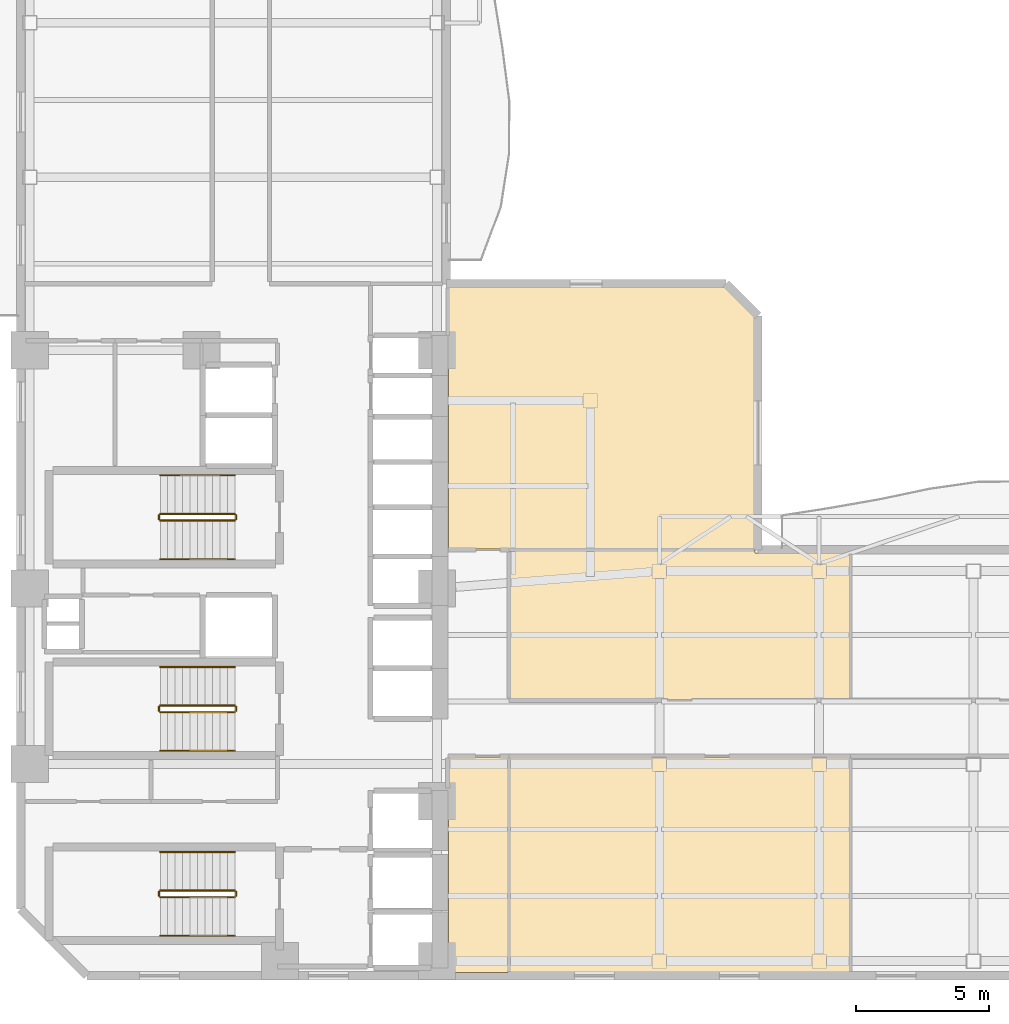
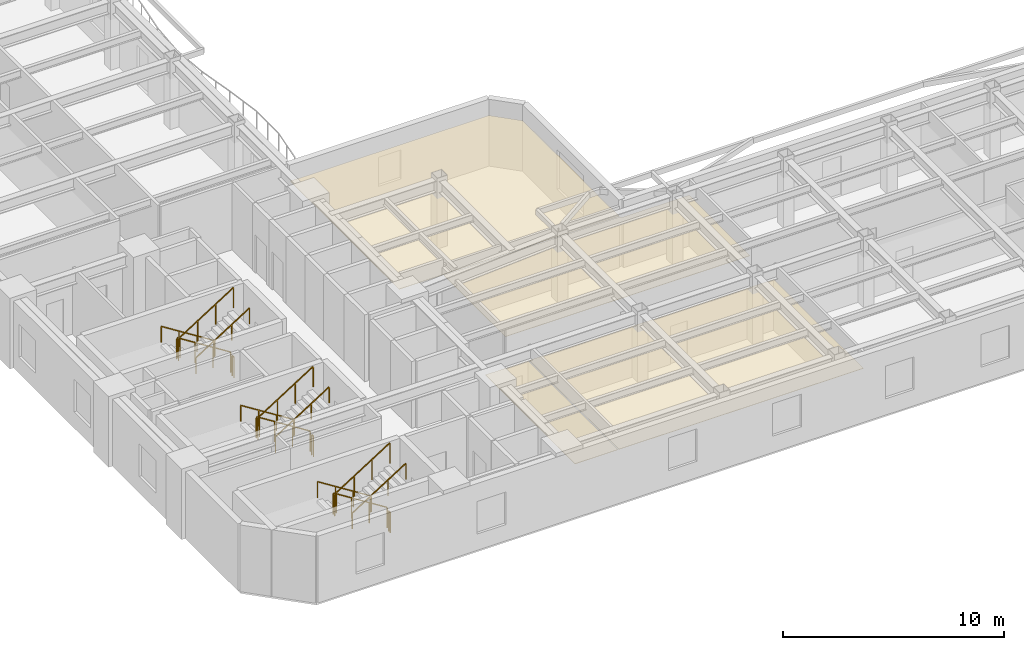
# One storey, part 8 of 10: 18 railings, 4 coverings.
"""IFC4 building model written with IfcOpenShell, lengths in metres."""

from ifc_helpers import new_model, si_unit, direction, frame, origin, origin_2d, place, context, subcontext, project, spatial, polyline, rectangle, outline, extrude, material, layer, layer_set, type_object, element, save


model = new_model("IFC4")

# Units and contexts
model_context = context("Model", 3, precision=1e-05, world=origin(), true_north=direction((0.0, 1.0)))
body_context = subcontext(model_context, "Body", "Model", "MODEL_VIEW")
ifc_project = project(units=[si_unit("LENGTHUNIT", "METRE"), si_unit("AREAUNIT", "SQUARE_METRE"), si_unit("VOLUMEUNIT", "CUBIC_METRE"), si_unit("PLANEANGLEUNIT", "RADIAN"), si_unit("MASSUNIT", "GRAM", prefix="KILO")], contexts=[model_context])

# Site, building, storey
site_placement = place(None, origin())
site = spatial("IfcSite", under=ifc_project, at=site_placement, CompositionType="ELEMENT")
building_placement = place(site_placement, origin())
building = spatial("IfcBuilding", under=site, at=building_placement, Name="Mawjaban Terraces University", CompositionType="ELEMENT")
storey_placement = place(building_placement, frame((0.0, 0.0, 73.89990234375)))
storey = spatial("IfcBuildingStorey", under=building, at=storey_placement, Name="L17", CompositionType="ELEMENT", Elevation=73.89990234375)

# Coverings
ifc_material_1 = material(Name="Acoustic mineral fibre ceiling tile", Category="masonry")
ifc_layer = layer(ifc_material_1, 0.02001953125)
ifc_layer_set = layer_set([ifc_layer], Name="Acoustic mineral fibre ceiling tile")
covering_type = type_object("IfcCoveringType", Name="AcousticMineralCeiling_20", PredefinedType="CEILING", material=ifc_layer_set)
covering_1_placement = place(storey_placement, frame((0.0, 0.0, 2.75)))
element("IfcCovering", 1, at=covering_1_placement, inside=storey, type_object=covering_type, Name="L17 Collaborative Study Room 1 Acoustic Ceiling", PredefinedType="CEILING", context=body_context, shape_type="SweptSolid", body=[
    extrude(outline(polyline([(38.080078125, 0.114990234375), (40.320068359375, 0.114990234375), (40.320068359375, 8.219970703125), (38.080078125, 8.219970703125), (38.080078125, 0.114990234375)])), origin(), (0.0, 0.0, 1.0), 0.02001953125),
])
covering_2_placement = place(storey_placement, frame((0.0, 0.0, 2.75)))
element("IfcCovering", 2, at=covering_2_placement, inside=storey, type_object=covering_type, Name="L17 Graduate Study Lounge 2 Acoustic Ceiling", PredefinedType="CEILING", context=body_context, shape_type="SweptSolid", body=[
    extrude(outline(polyline([(40.3798828125, 0.114990234375), (53.154052734375, 0.114990234375), (53.154052734375, 8.219970703125), (40.3798828125, 8.219970703125), (40.3798828125, 0.114990234375)])), origin(), (0.0, 0.0, 1.0), 0.02001953125),
])
covering_3_placement = place(storey_placement, frame((0.0, 0.0, 2.75)))
element("IfcCovering", 3, at=covering_3_placement, inside=storey, type_object=covering_type, Name="L17 Collaborative Study Room 3 Acoustic Ceiling", PredefinedType="CEILING", context=body_context, shape_type="SweptSolid", body=[
    extrude(outline(polyline([(53.154052734375, 15.885009765625), (49.5849609375, 15.885009765625), (49.5849609375, 15.969970703125), (40.3798828125, 15.969970703125), (40.3798828125, 10.3798828125), (53.154052734375, 10.3798828125), (53.154052734375, 15.885009765625)])), origin(), (0.0, 0.0, 1.0), 0.02001953125),
])
covering_4_placement = place(storey_placement, frame((0.0, 0.0, 2.75)))
element("IfcCovering", 4, at=covering_4_placement, inside=storey, type_object=covering_type, Name="L17 Terrace Collaborative Study Room Acoustic Ceiling", PredefinedType="CEILING", context=body_context, shape_type="SweptSolid", body=[
    extrude(outline(polyline([(49.5849609375, 16.030029296875), (49.5849609375, 24.742919921875), (48.452880859375, 25.875), (38.080078125, 25.875), (38.080078125, 16.030029296875), (49.5849609375, 16.030029296875)])), origin(), (0.0, 0.0, 1.0), 0.02001953125),
])

# Railings
ifc_material_2 = material(Name="Brushed stainless steel 316", Category="steel")
railing_type_1 = type_object("IfcRailingType", Name="StairWallHandrail_900", PredefinedType="HANDRAIL", material=ifc_material_2)
railing_1_placement = place(storey_placement, frame((30.050048828125, 4.64990234375, 0.177490234375)))
element("IfcRailing", 5, at=railing_1_placement, inside=storey, type_object=railing_type_1, Name="L17 ST-1 stair handrail 1", PredefinedType="HANDRAIL", context=body_context, shape_type="SweptSolid", body=[
    extrude(rectangle(XDim=0.048095703125, YDim=0.048095703125, at=origin_2d()), frame((0.0, 0.0, 0.8759765625), z_axis=(-0.844908973607, 0.0, 0.534910110503), x_axis=(0.0, -1.0, 0.0)), (0.0, 0.0, 1.0), 3.31396484375),
    extrude(rectangle(XDim=0.0419921875, YDim=0.0419921875, at=origin_2d()), origin(), (0.0, 0.0, 1.0), 0.851806640625),
    extrude(rectangle(XDim=0.0419921875, YDim=0.0419921875, at=origin_2d()), frame((-0.933349609375, 0.0, 0.5908203125)), (0.0, 0.0, 1.0), 0.851806640625),
    extrude(rectangle(XDim=0.0419921875, YDim=0.0419921875, at=origin_2d()), frame((-1.86669921875, 0.0, 1.181884765625)), (0.0, 0.0, 1.0), 0.851806640625),
    extrude(rectangle(XDim=0.0419921875, YDim=0.0419921875, at=origin_2d()), frame((-2.800048828125, 0.0, 1.772705078125)), (0.0, 0.0, 1.0), 0.851806640625),
])
railing_2_placement = place(storey_placement, frame((27.25, 1.5, 2.12744140625)))
element("IfcRailing", 6, at=railing_2_placement, inside=storey, type_object=railing_type_1, Name="L17 ST-1 stair handrail 2", PredefinedType="HANDRAIL", context=body_context, shape_type="SweptSolid", body=[
    extrude(rectangle(XDim=0.048095703125, YDim=0.048095703125, at=origin_2d()), frame((0.0, 0.0, 0.8759765625), z_axis=(0.844908973607, 0.0, 0.534910110503), x_axis=(0.0, 1.0, 0.0)), (0.0, 0.0, 1.0), 3.31396484375),
    extrude(rectangle(XDim=0.0419921875, YDim=0.0419921875, at=origin_2d()), origin(), (0.0, 0.0, 1.0), 0.851806640625),
    extrude(rectangle(XDim=0.0419921875, YDim=0.0419921875, at=origin_2d()), frame((0.933349609375, 0.0, 0.5908203125)), (0.0, 0.0, 1.0), 0.851806640625),
    extrude(rectangle(XDim=0.0419921875, YDim=0.0419921875, at=origin_2d()), frame((1.86669921875, 0.0, 1.181884765625)), (0.0, 0.0, 1.0), 0.851806640625),
    extrude(rectangle(XDim=0.0419921875, YDim=0.0419921875, at=origin_2d()), frame((2.800048828125, 0.0, 1.772705078125)), (0.0, 0.0, 1.0), 0.851806640625),
])
railing_3_placement = place(storey_placement, frame((30.050048828125, 18.800048828125, 0.177490234375)))
element("IfcRailing", 7, at=railing_3_placement, inside=storey, type_object=railing_type_1, Name="L17 ST-2 stair handrail 1", PredefinedType="HANDRAIL", context=body_context, shape_type="SweptSolid", body=[
    extrude(rectangle(XDim=0.048095703125, YDim=0.048095703125, at=origin_2d()), frame((0.0, 0.0, 0.8759765625), z_axis=(-0.844908973607, 0.0, 0.534910110503), x_axis=(0.0, -1.0, 0.0)), (0.0, 0.0, 1.0), 3.31396484375),
    extrude(rectangle(XDim=0.0419921875, YDim=0.0419921875, at=origin_2d()), origin(), (0.0, 0.0, 1.0), 0.851806640625),
    extrude(rectangle(XDim=0.0419921875, YDim=0.0419921875, at=origin_2d()), frame((-0.933349609375, 0.0, 0.5908203125)), (0.0, 0.0, 1.0), 0.851806640625),
    extrude(rectangle(XDim=0.0419921875, YDim=0.0419921875, at=origin_2d()), frame((-1.86669921875, 0.0, 1.181884765625)), (0.0, 0.0, 1.0), 0.851806640625),
    extrude(rectangle(XDim=0.0419921875, YDim=0.0419921875, at=origin_2d()), frame((-2.800048828125, 0.0, 1.772705078125)), (0.0, 0.0, 1.0), 0.851806640625),
])
railing_4_placement = place(storey_placement, frame((27.25, 15.64990234375, 2.12744140625)))
element("IfcRailing", 8, at=railing_4_placement, inside=storey, type_object=railing_type_1, Name="L17 ST-2 stair handrail 2", PredefinedType="HANDRAIL", context=body_context, shape_type="SweptSolid", body=[
    extrude(rectangle(XDim=0.048095703125, YDim=0.048095703125, at=origin_2d()), frame((0.0, 0.0, 0.8759765625), z_axis=(0.844908973607, 0.0, 0.534910110503), x_axis=(0.0, 1.0, 0.0)), (0.0, 0.0, 1.0), 3.31396484375),
    extrude(rectangle(XDim=0.0419921875, YDim=0.0419921875, at=origin_2d()), origin(), (0.0, 0.0, 1.0), 0.851806640625),
    extrude(rectangle(XDim=0.0419921875, YDim=0.0419921875, at=origin_2d()), frame((0.933349609375, 0.0, 0.5908203125)), (0.0, 0.0, 1.0), 0.851806640625),
    extrude(rectangle(XDim=0.0419921875, YDim=0.0419921875, at=origin_2d()), frame((1.86669921875, 0.0, 1.181884765625)), (0.0, 0.0, 1.0), 0.851806640625),
    extrude(rectangle(XDim=0.0419921875, YDim=0.0419921875, at=origin_2d()), frame((2.800048828125, 0.0, 1.772705078125)), (0.0, 0.0, 1.0), 0.851806640625),
])
railing_5_placement = place(storey_placement, frame((30.050048828125, 11.60009765625, 0.177490234375)))
element("IfcRailing", 9, at=railing_5_placement, inside=storey, type_object=railing_type_1, Name="L17 ST-3 stair handrail 1", PredefinedType="HANDRAIL", context=body_context, shape_type="SweptSolid", body=[
    extrude(rectangle(XDim=0.048095703125, YDim=0.048095703125, at=origin_2d()), frame((0.0, 0.0, 0.8759765625), z_axis=(-0.844908973607, 0.0, 0.534910110503), x_axis=(0.0, -1.0, 0.0)), (0.0, 0.0, 1.0), 3.31396484375),
    extrude(rectangle(XDim=0.0419921875, YDim=0.0419921875, at=origin_2d()), origin(), (0.0, 0.0, 1.0), 0.851806640625),
    extrude(rectangle(XDim=0.0419921875, YDim=0.0419921875, at=origin_2d()), frame((-0.933349609375, 0.0, 0.5908203125)), (0.0, 0.0, 1.0), 0.851806640625),
    extrude(rectangle(XDim=0.0419921875, YDim=0.0419921875, at=origin_2d()), frame((-1.86669921875, 0.0, 1.181884765625)), (0.0, 0.0, 1.0), 0.851806640625),
    extrude(rectangle(XDim=0.0419921875, YDim=0.0419921875, at=origin_2d()), frame((-2.800048828125, 0.0, 1.772705078125)), (0.0, 0.0, 1.0), 0.851806640625),
])
railing_6_placement = place(storey_placement, frame((27.25, 8.449951171875, 2.12744140625)))
element("IfcRailing", 10, at=railing_6_placement, inside=storey, type_object=railing_type_1, Name="L17 ST-3 stair handrail 2", PredefinedType="HANDRAIL", context=body_context, shape_type="SweptSolid", body=[
    extrude(rectangle(XDim=0.048095703125, YDim=0.048095703125, at=origin_2d()), frame((0.0, 0.0, 0.8759765625), z_axis=(0.844908973607, 0.0, 0.534910110503), x_axis=(0.0, 1.0, 0.0)), (0.0, 0.0, 1.0), 3.31396484375),
    extrude(rectangle(XDim=0.0419921875, YDim=0.0419921875, at=origin_2d()), origin(), (0.0, 0.0, 1.0), 0.851806640625),
    extrude(rectangle(XDim=0.0419921875, YDim=0.0419921875, at=origin_2d()), frame((0.933349609375, 0.0, 0.5908203125)), (0.0, 0.0, 1.0), 0.851806640625),
    extrude(rectangle(XDim=0.0419921875, YDim=0.0419921875, at=origin_2d()), frame((1.86669921875, 0.0, 1.181884765625)), (0.0, 0.0, 1.0), 0.851806640625),
    extrude(rectangle(XDim=0.0419921875, YDim=0.0419921875, at=origin_2d()), frame((2.800048828125, 0.0, 1.772705078125)), (0.0, 0.0, 1.0), 0.851806640625),
])
ifc_material_3 = material(Name="Galvanised painted steel S355", Category="steel")
railing_type_2 = type_object("IfcRailingType", Name="StairWellGuard_1150", PredefinedType="BALUSTRADE", material=ifc_material_3)
railing_7_placement = place(storey_placement, frame((30.050048828125, 3.199951171875, 0.177490234375)))
element("IfcRailing", 11, at=railing_7_placement, inside=storey, type_object=railing_type_2, Name="L17 ST-1 stair guard 1", PredefinedType="BALUSTRADE", context=body_context, shape_type="SweptSolid", body=[
    extrude(rectangle(XDim=0.048095703125, YDim=0.048095703125, at=origin_2d()), frame((0.0, 0.0, 1.1259765625), z_axis=(-0.844908973607, 0.0, 0.534910110503), x_axis=(0.0, -1.0, 0.0)), (0.0, 0.0, 1.0), 3.31396484375),
    extrude(rectangle(XDim=0.0419921875, YDim=0.0419921875, at=origin_2d()), origin(), (0.0, 0.0, 1.0), 1.101806640625),
    extrude(rectangle(XDim=0.0419921875, YDim=0.0419921875, at=origin_2d()), frame((-0.933349609375, 0.0, 0.5908203125)), (0.0, 0.0, 1.0), 1.101806640625),
    extrude(rectangle(XDim=0.0419921875, YDim=0.0419921875, at=origin_2d()), frame((-1.86669921875, 0.0, 1.181884765625)), (0.0, 0.0, 1.0), 1.101806640625),
    extrude(rectangle(XDim=0.0419921875, YDim=0.0419921875, at=origin_2d()), frame((-2.800048828125, 0.0, 1.772705078125)), (0.0, 0.0, 1.0), 1.101806640625),
])
railing_8_placement = place(storey_placement, frame((27.199951171875, 3.14990234375, 1.9501953125)))
element("IfcRailing", 12, at=railing_8_placement, inside=storey, type_object=railing_type_2, Name="L17 ST-1 stair guard 2", PredefinedType="BALUSTRADE", context=body_context, shape_type="SweptSolid", body=[
    extrude(rectangle(XDim=0.048095703125, YDim=0.048095703125, at=origin_2d()), frame((0.0, 0.0, 1.1259765625), z_axis=(0.0, -1.0, 0.0), x_axis=(1.0, 0.0, 0.0)), (0.0, 0.0, 1.0), 0.14990234375),
    extrude(rectangle(XDim=0.0419921875, YDim=0.0419921875, at=origin_2d()), origin(), (0.0, 0.0, 1.0), 1.101806640625),
    extrude(rectangle(XDim=0.0419921875, YDim=0.0419921875, at=origin_2d()), frame((0.0, -0.14990234375, 0.0)), (0.0, 0.0, 1.0), 1.101806640625),
])
railing_9_placement = place(storey_placement, frame((27.25, 2.949951171875, 2.12744140625)))
element("IfcRailing", 13, at=railing_9_placement, inside=storey, type_object=railing_type_2, Name="L17 ST-1 stair guard 3", PredefinedType="BALUSTRADE", context=body_context, shape_type="SweptSolid", body=[
    extrude(rectangle(XDim=0.048095703125, YDim=0.048095703125, at=origin_2d()), frame((0.0, 0.0, 1.1259765625), z_axis=(0.844908973607, 0.0, 0.534910110503), x_axis=(0.0, 1.0, 0.0)), (0.0, 0.0, 1.0), 3.31396484375),
    extrude(rectangle(XDim=0.0419921875, YDim=0.0419921875, at=origin_2d()), origin(), (0.0, 0.0, 1.0), 1.101806640625),
    extrude(rectangle(XDim=0.0419921875, YDim=0.0419921875, at=origin_2d()), frame((0.933349609375, 0.0, 0.5908203125)), (0.0, 0.0, 1.0), 1.101806640625),
    extrude(rectangle(XDim=0.0419921875, YDim=0.0419921875, at=origin_2d()), frame((1.86669921875, 0.0, 1.181884765625)), (0.0, 0.0, 1.0), 1.101806640625),
    extrude(rectangle(XDim=0.0419921875, YDim=0.0419921875, at=origin_2d()), frame((2.800048828125, 0.0, 1.772705078125)), (0.0, 0.0, 1.0), 1.101806640625),
])
railing_10_placement = place(storey_placement, frame((30.10009765625, 3.14990234375, 0.0)))
element("IfcRailing", 14, at=railing_10_placement, inside=storey, type_object=railing_type_2, Name="L17 ST-1 stair guard 4", PredefinedType="BALUSTRADE", context=body_context, shape_type="SweptSolid", body=[
    extrude(rectangle(XDim=0.048095703125, YDim=0.048095703125, at=origin_2d()), frame((0.0, 0.0, 1.1259765625), z_axis=(0.0, -1.0, 0.0), x_axis=(1.0, 0.0, 0.0)), (0.0, 0.0, 1.0), 0.14990234375),
    extrude(rectangle(XDim=0.0419921875, YDim=0.0419921875, at=origin_2d()), origin(), (0.0, 0.0, 1.0), 1.101806640625),
    extrude(rectangle(XDim=0.0419921875, YDim=0.0419921875, at=origin_2d()), frame((0.0, -0.14990234375, 0.0)), (0.0, 0.0, 1.0), 1.101806640625),
])
railing_11_placement = place(storey_placement, frame((30.050048828125, 17.35009765625, 0.177490234375)))
element("IfcRailing", 15, at=railing_11_placement, inside=storey, type_object=railing_type_2, Name="L17 ST-2 stair guard 1", PredefinedType="BALUSTRADE", context=body_context, shape_type="SweptSolid", body=[
    extrude(rectangle(XDim=0.048095703125, YDim=0.048095703125, at=origin_2d()), frame((0.0, 0.0, 1.1259765625), z_axis=(-0.844908973607, 0.0, 0.534910110503), x_axis=(0.0, -1.0, 0.0)), (0.0, 0.0, 1.0), 3.31396484375),
    extrude(rectangle(XDim=0.0419921875, YDim=0.0419921875, at=origin_2d()), origin(), (0.0, 0.0, 1.0), 1.101806640625),
    extrude(rectangle(XDim=0.0419921875, YDim=0.0419921875, at=origin_2d()), frame((-0.933349609375, 0.0, 0.5908203125)), (0.0, 0.0, 1.0), 1.101806640625),
    extrude(rectangle(XDim=0.0419921875, YDim=0.0419921875, at=origin_2d()), frame((-1.86669921875, 0.0, 1.181884765625)), (0.0, 0.0, 1.0), 1.101806640625),
    extrude(rectangle(XDim=0.0419921875, YDim=0.0419921875, at=origin_2d()), frame((-2.800048828125, 0.0, 1.772705078125)), (0.0, 0.0, 1.0), 1.101806640625),
])
railing_12_placement = place(storey_placement, frame((27.199951171875, 17.300048828125, 1.9501953125)))
element("IfcRailing", 16, at=railing_12_placement, inside=storey, type_object=railing_type_2, Name="L17 ST-2 stair guard 2", PredefinedType="BALUSTRADE", context=body_context, shape_type="SweptSolid", body=[
    extrude(rectangle(XDim=0.048095703125, YDim=0.048095703125, at=origin_2d()), frame((0.0, 0.0, 1.1259765625), z_axis=(0.0, -1.0, 0.0), x_axis=(1.0, 0.0, 0.0)), (0.0, 0.0, 1.0), 0.150146484375),
    extrude(rectangle(XDim=0.0419921875, YDim=0.0419921875, at=origin_2d()), origin(), (0.0, 0.0, 1.0), 1.101806640625),
    extrude(rectangle(XDim=0.0419921875, YDim=0.0419921875, at=origin_2d()), frame((0.0, -0.150146484375, 0.0)), (0.0, 0.0, 1.0), 1.101806640625),
])
railing_13_placement = place(storey_placement, frame((27.25, 17.10009765625, 2.12744140625)))
element("IfcRailing", 17, at=railing_13_placement, inside=storey, type_object=railing_type_2, Name="L17 ST-2 stair guard 3", PredefinedType="BALUSTRADE", context=body_context, shape_type="SweptSolid", body=[
    extrude(rectangle(XDim=0.048095703125, YDim=0.048095703125, at=origin_2d()), frame((0.0, 0.0, 1.1259765625), z_axis=(0.844908973607, 0.0, 0.534910110503), x_axis=(0.0, 1.0, 0.0)), (0.0, 0.0, 1.0), 3.31396484375),
    extrude(rectangle(XDim=0.0419921875, YDim=0.0419921875, at=origin_2d()), origin(), (0.0, 0.0, 1.0), 1.101806640625),
    extrude(rectangle(XDim=0.0419921875, YDim=0.0419921875, at=origin_2d()), frame((0.933349609375, 0.0, 0.5908203125)), (0.0, 0.0, 1.0), 1.101806640625),
    extrude(rectangle(XDim=0.0419921875, YDim=0.0419921875, at=origin_2d()), frame((1.86669921875, 0.0, 1.181884765625)), (0.0, 0.0, 1.0), 1.101806640625),
    extrude(rectangle(XDim=0.0419921875, YDim=0.0419921875, at=origin_2d()), frame((2.800048828125, 0.0, 1.772705078125)), (0.0, 0.0, 1.0), 1.101806640625),
])
railing_14_placement = place(storey_placement, frame((30.10009765625, 17.300048828125, 0.0)))
element("IfcRailing", 18, at=railing_14_placement, inside=storey, type_object=railing_type_2, Name="L17 ST-2 stair guard 4", PredefinedType="BALUSTRADE", context=body_context, shape_type="SweptSolid", body=[
    extrude(rectangle(XDim=0.048095703125, YDim=0.048095703125, at=origin_2d()), frame((0.0, 0.0, 1.1259765625), z_axis=(0.0, -1.0, 0.0), x_axis=(1.0, 0.0, 0.0)), (0.0, 0.0, 1.0), 0.150146484375),
    extrude(rectangle(XDim=0.0419921875, YDim=0.0419921875, at=origin_2d()), origin(), (0.0, 0.0, 1.0), 1.101806640625),
    extrude(rectangle(XDim=0.0419921875, YDim=0.0419921875, at=origin_2d()), frame((0.0, -0.150146484375, 0.0)), (0.0, 0.0, 1.0), 1.101806640625),
])
railing_15_placement = place(storey_placement, frame((30.050048828125, 10.14990234375, 0.177490234375)))
element("IfcRailing", 19, at=railing_15_placement, inside=storey, type_object=railing_type_2, Name="L17 ST-3 stair guard 1", PredefinedType="BALUSTRADE", context=body_context, shape_type="SweptSolid", body=[
    extrude(rectangle(XDim=0.048095703125, YDim=0.048095703125, at=origin_2d()), frame((0.0, 0.0, 1.1259765625), z_axis=(-0.844908973607, 0.0, 0.534910110503), x_axis=(0.0, -1.0, 0.0)), (0.0, 0.0, 1.0), 3.31396484375),
    extrude(rectangle(XDim=0.0419921875, YDim=0.0419921875, at=origin_2d()), origin(), (0.0, 0.0, 1.0), 1.101806640625),
    extrude(rectangle(XDim=0.0419921875, YDim=0.0419921875, at=origin_2d()), frame((-0.933349609375, 0.0, 0.5908203125)), (0.0, 0.0, 1.0), 1.101806640625),
    extrude(rectangle(XDim=0.0419921875, YDim=0.0419921875, at=origin_2d()), frame((-1.86669921875, 0.0, 1.181884765625)), (0.0, 0.0, 1.0), 1.101806640625),
    extrude(rectangle(XDim=0.0419921875, YDim=0.0419921875, at=origin_2d()), frame((-2.800048828125, 0.0, 1.772705078125)), (0.0, 0.0, 1.0), 1.101806640625),
])
railing_16_placement = place(storey_placement, frame((27.199951171875, 10.10009765625, 1.9501953125)))
element("IfcRailing", 20, at=railing_16_placement, inside=storey, type_object=railing_type_2, Name="L17 ST-3 stair guard 2", PredefinedType="BALUSTRADE", context=body_context, shape_type="SweptSolid", body=[
    extrude(rectangle(XDim=0.048095703125, YDim=0.048095703125, at=origin_2d()), frame((0.0, 0.0, 1.1259765625), z_axis=(0.0, -1.0, 0.0), x_axis=(1.0, 0.0, 0.0)), (0.0, 0.0, 1.0), 0.150146484375),
    extrude(rectangle(XDim=0.0419921875, YDim=0.0419921875, at=origin_2d()), origin(), (0.0, 0.0, 1.0), 1.101806640625),
    extrude(rectangle(XDim=0.0419921875, YDim=0.0419921875, at=origin_2d()), frame((0.0, -0.150146484375, 0.0)), (0.0, 0.0, 1.0), 1.101806640625),
])
railing_17_placement = place(storey_placement, frame((27.25, 9.89990234375, 2.12744140625)))
element("IfcRailing", 21, at=railing_17_placement, inside=storey, type_object=railing_type_2, Name="L17 ST-3 stair guard 3", PredefinedType="BALUSTRADE", context=body_context, shape_type="SweptSolid", body=[
    extrude(rectangle(XDim=0.048095703125, YDim=0.048095703125, at=origin_2d()), frame((0.0, 0.0, 1.1259765625), z_axis=(0.844908973607, 0.0, 0.534910110503), x_axis=(0.0, 1.0, 0.0)), (0.0, 0.0, 1.0), 3.31396484375),
    extrude(rectangle(XDim=0.0419921875, YDim=0.0419921875, at=origin_2d()), origin(), (0.0, 0.0, 1.0), 1.101806640625),
    extrude(rectangle(XDim=0.0419921875, YDim=0.0419921875, at=origin_2d()), frame((0.933349609375, 0.0, 0.5908203125)), (0.0, 0.0, 1.0), 1.101806640625),
    extrude(rectangle(XDim=0.0419921875, YDim=0.0419921875, at=origin_2d()), frame((1.86669921875, 0.0, 1.181884765625)), (0.0, 0.0, 1.0), 1.101806640625),
    extrude(rectangle(XDim=0.0419921875, YDim=0.0419921875, at=origin_2d()), frame((2.800048828125, 0.0, 1.772705078125)), (0.0, 0.0, 1.0), 1.101806640625),
])
railing_18_placement = place(storey_placement, frame((30.10009765625, 10.10009765625, 0.0)))
element("IfcRailing", 22, at=railing_18_placement, inside=storey, type_object=railing_type_2, Name="L17 ST-3 stair guard 4", PredefinedType="BALUSTRADE", context=body_context, shape_type="SweptSolid", body=[
    extrude(rectangle(XDim=0.048095703125, YDim=0.048095703125, at=origin_2d()), frame((0.0, 0.0, 1.1259765625), z_axis=(0.0, -1.0, 0.0), x_axis=(1.0, 0.0, 0.0)), (0.0, 0.0, 1.0), 0.150146484375),
    extrude(rectangle(XDim=0.0419921875, YDim=0.0419921875, at=origin_2d()), origin(), (0.0, 0.0, 1.0), 1.101806640625),
    extrude(rectangle(XDim=0.0419921875, YDim=0.0419921875, at=origin_2d()), frame((0.0, -0.150146484375, 0.0)), (0.0, 0.0, 1.0), 1.101806640625),
])

save(model, "model.ifc")
